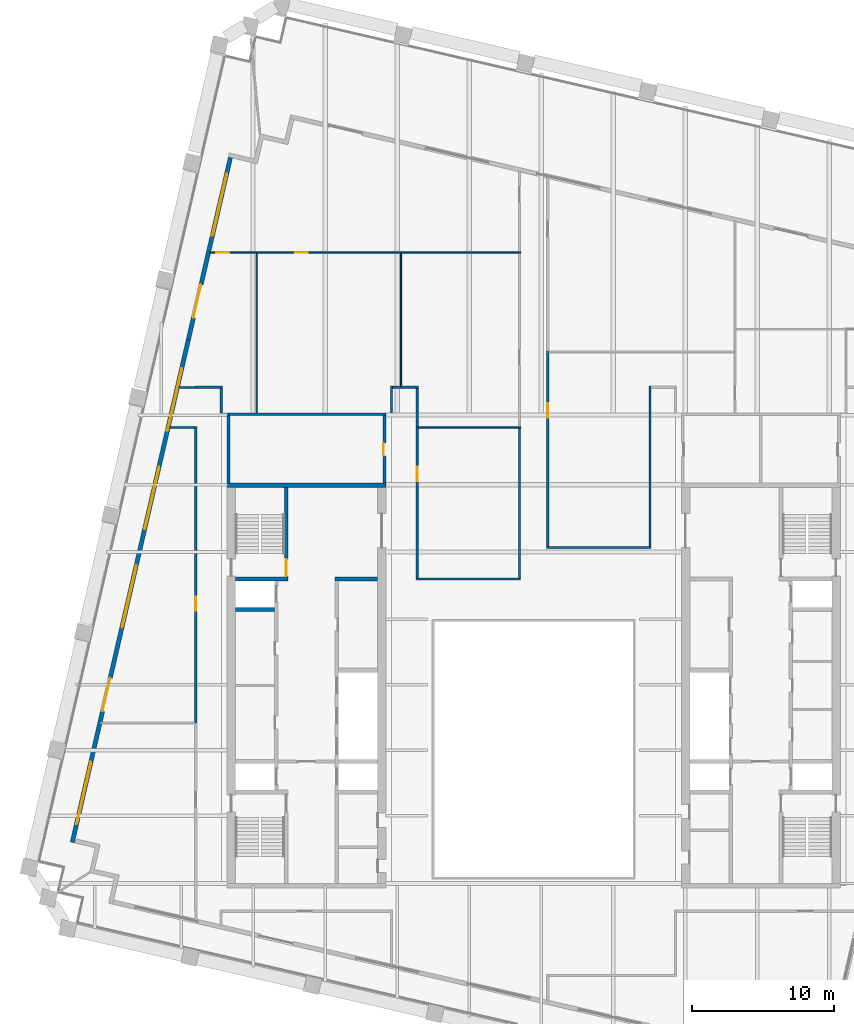
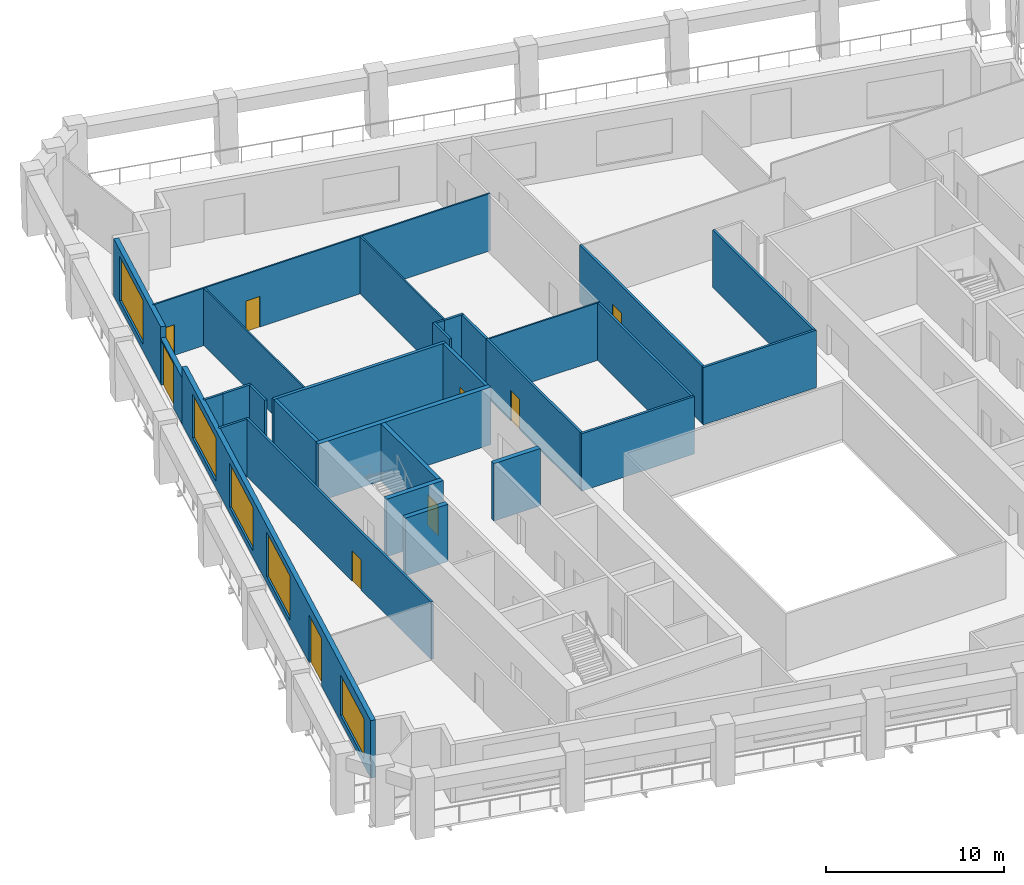
# One storey, part 6 of 10: 32 walls, 9 doors, 5 windows, 14 openings.
"""IFC4 building model written with IfcOpenShell, lengths in metres."""

from ifc_helpers import new_model, si_unit, direction, frame, frame_2d, origin, place, context, subcontext, project, spatial, rectangle, extrude, material, layer, layer_set, type_object, element, fill, save


model = new_model("IFC4")

# Units and contexts
model_context = context("Model", 3, precision=1e-05, world=origin(), true_north=direction((0.0, 1.0)))
body_context = subcontext(model_context, "Body", "Model", "MODEL_VIEW")
ifc_project = project(units=[si_unit("LENGTHUNIT", "METRE"), si_unit("AREAUNIT", "SQUARE_METRE"), si_unit("VOLUMEUNIT", "CUBIC_METRE"), si_unit("PLANEANGLEUNIT", "RADIAN"), si_unit("MASSUNIT", "GRAM", prefix="KILO")], contexts=[model_context])

# Site, building, storey
site_placement = place(None, origin())
site = spatial("IfcSite", under=ifc_project, at=site_placement, CompositionType="ELEMENT")
building_placement = place(site_placement, origin())
building = spatial("IfcBuilding", under=site, at=building_placement, Name="Ogive Exchange Tower", CompositionType="ELEMENT")
storey_placement = place(building_placement, frame((0.0, 0.0, 289.199951171875)))
storey = spatial("IfcBuildingStorey", under=building, at=storey_placement, Name="L63", CompositionType="ELEMENT", Elevation=289.199951171875)

# Walls
ifc_material_1 = material(Name="Gypsum board partition")
ifc_layer_1 = layer(ifc_material_1, 0.300048828125)
ifc_layer_set_1 = layer_set([ifc_layer_1], Name="Core room partition 300 gypsum")
wall_type_1 = type_object("IfcWallType", Name="Core room partition 300 gypsum", PredefinedType="PARTITIONING", material=ifc_layer_set_1)
wall_1_placement = place(storey_placement, frame((-14.0, 19.0, 0.0), z_axis=(0.0, 0.0, 1.0), x_axis=(1.0, 0.0, 0.0)))
element("IfcWall", 1, at=wall_1_placement, inside=storey, type_object=wall_type_1, Name="W row B room end wall 7", PredefinedType="PARTITIONING", context=body_context, shape_type="SweptSolid", body=[
    extrude(rectangle(XDim=3.0, YDim=0.300048828125, at=frame_2d((1.5, 0.0))), origin(), (0.0, 0.0, 1.0), 3.949951171875),
])
ifc_material_2 = material(Name="Fire partition EI 60 150")
ifc_layer_2 = layer(ifc_material_2, 0.14990234375)
ifc_layer_set_2 = layer_set([ifc_layer_2], Name="Fire partition EI 60 150")
wall_type_2 = type_object("IfcWallType", Name="Fire partition EI 60 150", PredefinedType="PARTITIONING", material=ifc_layer_set_2)
wall_2_placement = place(storey_placement, frame((-25.02490234375, 32.489990234375, 0.0), z_axis=(0.0, 0.0, 1.0), x_axis=(1.0, 0.0, 0.0)))
element("IfcWall", 2, at=wall_2_placement, inside=storey, type_object=wall_type_2, Name="L63-PWL-001", PredefinedType="PARTITIONING", context=body_context, shape_type="SweptSolid", body=[
    extrude(rectangle(XDim=1.224853515625, YDim=0.14990234375, at=frame_2d((0.6123046875, 0.0))), origin(), (0.0, 0.0, 1.0), 3.949951171875),
])

# Wall, opening, door
wall_3_placement = place(storey_placement, frame((-23.800048828125, 8.860107421875, 0.0), z_axis=(0.0, 0.0, 1.0), x_axis=(0.0, 1.0, 0.0)))
wall_3 = element("IfcWall", 3, at=wall_3_placement, inside=storey, type_object=wall_type_2, Name="L63-PWL-004", PredefinedType="PARTITIONING", context=body_context, shape_type="SweptSolid", body=[
    extrude(rectangle(XDim=20.875, YDim=0.14990234375, at=frame_2d((10.4375, 0.0))), origin(), (0.0, 0.0, 1.0), 3.949951171875),
])
opening_1_placement = place(wall_3_placement, frame((7.89990234375, 0.0, 0.0)))
opening_1 = element("IfcOpeningElement", 4, at=opening_1_placement, cuts=wall_3, Name="Opening L63-I14", PredefinedType="OPENING", context=body_context, shape_type="SweptSolid", body=[
    extrude(rectangle(XDim=1.0, YDim=2.10009765625, at=frame_2d((0.5, 1.050048828125))), frame((0.0, 0.0849609375, 0.0), z_axis=(0.0, -1.0, 0.0), x_axis=(1.0, 0.0, 0.0)), (0.0, 0.0, 1.0), 0.169921875),
])
ifc_material_3 = material(Name="Fire door FD 30S 1000 x 2100")
door_type_1 = type_object("IfcDoorType", Name="Fire door FD 30S 1000 x 2100", OperationType="NOTDEFINED", PredefinedType="DOOR", material=ifc_material_3)
door_1_placement = place(opening_1_placement, origin())
door_1 = element("IfcDoor", 5, at=door_1_placement, inside=storey, type_object=door_type_1, Name="L63-IDR-014", ObjectType="DT3", OperationType="SINGLE_SWING_RIGHT", OverallHeight=2.10009765625, OverallWidth=1.0, PredefinedType="DOOR", context=body_context, shape_type="SweptSolid", body=[
    extrude(rectangle(XDim=1.0, YDim=2.10009765625, at=frame_2d((0.5, 1.050048828125))), frame((0.0, 0.02490234375, 0.0), z_axis=(0.0, -1.0, 0.0), x_axis=(1.0, 0.0, 0.0)), (0.0, 0.0, 1.0), 0.050048828125),
])
fill(opening_1, door_1)

# Walls
wall_4_placement = place(storey_placement, frame((-23.875, 29.659912109375, 0.0), z_axis=(0.0, 0.0, 1.0), x_axis=(-1.0, 0.0, 0.0)))
element("IfcWall", 6, at=wall_4_placement, inside=storey, type_object=wall_type_2, Name="L63-PWL-005", PredefinedType="PARTITIONING", context=body_context, shape_type="SweptSolid", body=[
    extrude(rectangle(XDim=1.802978515625, YDim=0.14990234375, at=frame_2d((0.9013671875, 0.0))), origin(), (0.0, 0.0, 1.0), 3.949951171875),
])
wall_5_placement = place(storey_placement, frame((-23.800048828125, 32.5, 0.0), z_axis=(0.0, 0.0, 1.0), x_axis=(1.0, 0.0, 0.0)))
element("IfcWall", 7, at=wall_5_placement, inside=storey, type_object=wall_type_2, Name="L63-PWL-006", PredefinedType="PARTITIONING", context=body_context, shape_type="SweptSolid", body=[
    extrude(rectangle(XDim=1.875, YDim=0.14990234375, at=frame_2d((0.9375, 0.0))), origin(), (0.0, 0.0, 1.0), 3.949951171875),
])
wall_6_placement = place(storey_placement, frame((-22.0, 32.425048828125, 0.0), z_axis=(0.0, 0.0, 1.0), x_axis=(0.0, -1.0, 0.0)))
element("IfcWall", 8, at=wall_6_placement, inside=storey, type_object=wall_type_2, Name="L63-PWL-010", PredefinedType="PARTITIONING", context=body_context, shape_type="SweptSolid", body=[
    extrude(rectangle(XDim=1.72509765625, YDim=0.14990234375, at=frame_2d((0.862548828125, 0.0))), origin(), (0.0, 0.0, 1.0), 3.949951171875),
])
wall_7_placement = place(storey_placement, frame((-10.0, 30.699951171875, 0.0), z_axis=(0.0, 0.0, 1.0), x_axis=(0.0, 1.0, 0.0)))
element("IfcWall", 9, at=wall_7_placement, inside=storey, type_object=wall_type_2, Name="L63-PWL-015", PredefinedType="PARTITIONING", context=body_context, shape_type="SweptSolid", body=[
    extrude(rectangle(XDim=1.875, YDim=0.14990234375, at=frame_2d((0.9375, 0.0))), origin(), (0.0, 0.0, 1.0), 3.949951171875),
])
wall_8_placement = place(storey_placement, frame((-9.925048828125, 32.5, 0.0), z_axis=(0.0, 0.0, 1.0), x_axis=(1.0, 0.0, 0.0)))
element("IfcWall", 10, at=wall_8_placement, inside=storey, type_object=wall_type_2, Name="L63-PWL-016", PredefinedType="PARTITIONING", context=body_context, shape_type="SweptSolid", body=[
    extrude(rectangle(XDim=0.53515625, YDim=0.14990234375, at=frame_2d((0.267578125, 0.0))), origin(), (0.0, 0.0, 1.0), 3.949951171875),
])
wall_9_placement = place(storey_placement, frame((-9.389892578125, 32.5, 0.0), z_axis=(0.0, 0.0, 1.0), x_axis=(1.0, 0.0, 0.0)))
element("IfcWall", 11, at=wall_9_placement, inside=storey, type_object=wall_type_2, Name="L63-PWL-017", PredefinedType="PARTITIONING", context=body_context, shape_type="SweptSolid", body=[
    extrude(rectangle(XDim=1.264892578125, YDim=0.14990234375, at=frame_2d((0.63232421875, 0.0))), origin(), (0.0, 0.0, 1.0), 3.949951171875),
])
wall_10_placement = place(storey_placement, frame((-8.27490234375, 19.0, 0.0), z_axis=(0.0, 0.0, 1.0), x_axis=(1.0, 0.0, 0.0)))
element("IfcWall", 12, at=wall_10_placement, inside=storey, type_object=wall_type_2, Name="L63-PWL-020", PredefinedType="PARTITIONING", context=body_context, shape_type="SweptSolid", body=[
    extrude(rectangle(XDim=7.35986328125, YDim=0.14990234375, at=frame_2d((3.679931640625, 0.0))), origin(), (0.0, 0.0, 1.0), 3.949951171875),
])

# Wall, opening, door
wall_11_placement = place(storey_placement, frame((-8.199951171875, 29.7099609375, 0.0), z_axis=(0.0, 0.0, 1.0), x_axis=(0.0, -1.0, 0.0)))
wall_11 = element("IfcWall", 13, at=wall_11_placement, inside=storey, type_object=wall_type_2, Name="L63-PWL-021", PredefinedType="PARTITIONING", context=body_context, shape_type="SweptSolid", body=[
    extrude(rectangle(XDim=10.635009765625, YDim=0.14990234375, at=frame_2d((5.3173828125, 0.0))), origin(), (0.0, 0.0, 1.0), 3.949951171875),
])
opening_2_placement = place(wall_11_placement, frame((2.81005859375, 0.0, 0.0)))
opening_2 = element("IfcOpeningElement", 14, at=opening_2_placement, cuts=wall_11, Name="Opening L63-I09", PredefinedType="OPENING", context=body_context, shape_type="SweptSolid", body=[
    extrude(rectangle(XDim=1.0, YDim=2.10009765625, at=frame_2d((0.5, 1.050048828125))), frame((0.0, 0.0849609375, 0.0), z_axis=(0.0, -1.0, 0.0), x_axis=(1.0, 0.0, 0.0)), (0.0, 0.0, 1.0), 0.169921875),
])
door_2_placement = place(opening_2_placement, origin())
door_2 = element("IfcDoor", 15, at=door_2_placement, inside=storey, type_object=door_type_1, Name="L63-IDR-009", ObjectType="DT3", OperationType="SINGLE_SWING_RIGHT", OverallHeight=2.10009765625, OverallWidth=1.0, PredefinedType="DOOR", context=body_context, shape_type="SweptSolid", body=[
    extrude(rectangle(XDim=1.0, YDim=2.10009765625, at=frame_2d((0.5, 1.050048828125))), frame((0.0, 0.02490234375, 0.0), z_axis=(0.0, -1.0, 0.0), x_axis=(1.0, 0.0, 0.0)), (0.0, 0.0, 1.0), 0.050048828125),
])
fill(opening_2, door_2)

# Walls
wall_12_placement = place(storey_placement, frame((-8.199951171875, 32.425048828125, 0.0), z_axis=(0.0, 0.0, 1.0), x_axis=(0.0, -1.0, 0.0)))
element("IfcWall", 16, at=wall_12_placement, inside=storey, type_object=wall_type_2, Name="L63-PWL-023", PredefinedType="PARTITIONING", context=body_context, shape_type="SweptSolid", body=[
    extrude(rectangle(XDim=2.715087890625, YDim=0.14990234375, at=frame_2d((1.357421875, 0.0))), origin(), (0.0, 0.0, 1.0), 3.949951171875),
])
wall_13_placement = place(storey_placement, frame((-0.989990234375, 19.074951171875, 0.0), z_axis=(0.0, 0.0, 1.0), x_axis=(0.0, 1.0, 0.0)))
element("IfcWall", 17, at=wall_13_placement, inside=storey, type_object=wall_type_2, Name="L63-PWL-024", PredefinedType="PARTITIONING", context=body_context, shape_type="SweptSolid", body=[
    extrude(rectangle(XDim=10.53515625, YDim=0.14990234375, at=frame_2d((5.267578125, 0.0))), origin(), (0.0, 0.0, 1.0), 3.949951171875),
])
wall_14_placement = place(storey_placement, frame((0.9150390625, 21.2099609375, 0.0), z_axis=(0.0, 0.0, 1.0), x_axis=(1.0, 0.0, 0.0)))
element("IfcWall", 18, at=wall_14_placement, inside=storey, type_object=wall_type_2, Name="L63-PWL-028", PredefinedType="PARTITIONING", context=body_context, shape_type="SweptSolid", body=[
    extrude(rectangle(XDim=7.35986328125, YDim=0.14990234375, at=frame_2d((3.679931640625, 0.0))), origin(), (0.0, 0.0, 1.0), 3.949951171875),
])

# Wall, opening, door
wall_15_placement = place(storey_placement, frame((0.989990234375, 35.050048828125, 0.0), z_axis=(0.0, 0.0, 1.0), x_axis=(0.0, -1.0, 0.0)))
wall_15 = element("IfcWall", 19, at=wall_15_placement, inside=storey, type_object=wall_type_2, Name="L63-PWL-029", PredefinedType="PARTITIONING", context=body_context, shape_type="SweptSolid", body=[
    extrude(rectangle(XDim=13.76513671875, YDim=0.14990234375, at=frame_2d((6.882568359375, 0.0))), origin(), (0.0, 0.0, 1.0), 3.949951171875),
])
opening_3_placement = place(wall_15_placement, frame((3.68994140625, 0.0, 0.0)))
opening_3 = element("IfcOpeningElement", 20, at=opening_3_placement, cuts=wall_15, Name="Opening L63-I04", PredefinedType="OPENING", context=body_context, shape_type="SweptSolid", body=[
    extrude(rectangle(XDim=1.0, YDim=2.10009765625, at=frame_2d((0.5, 1.050048828125))), frame((0.0, 0.0849609375, 0.0), z_axis=(0.0, -1.0, 0.0), x_axis=(1.0, 0.0, 0.0)), (0.0, 0.0, 1.0), 0.169921875),
])
door_3_placement = place(opening_3_placement, origin())
door_3 = element("IfcDoor", 21, at=door_3_placement, inside=storey, type_object=door_type_1, Name="L63-IDR-004", ObjectType="DT3", OperationType="SINGLE_SWING_RIGHT", OverallHeight=2.10009765625, OverallWidth=1.0, PredefinedType="DOOR", context=body_context, shape_type="SweptSolid", body=[
    extrude(rectangle(XDim=1.0, YDim=2.10009765625, at=frame_2d((0.5, 1.050048828125))), frame((0.0, 0.02490234375, 0.0), z_axis=(0.0, -1.0, 0.0), x_axis=(1.0, 0.0, 0.0)), (0.0, 0.0, 1.0), 0.050048828125),
])
fill(opening_3, door_3)

# Wall
wall_16_placement = place(storey_placement, frame((8.199951171875, 21.284912109375, 0.0), z_axis=(0.0, 0.0, 1.0), x_axis=(0.0, 1.0, 0.0)))
element("IfcWall", 22, at=wall_16_placement, inside=storey, type_object=wall_type_2, Name="L63-PWL-031", PredefinedType="PARTITIONING", context=body_context, shape_type="SweptSolid", body=[
    extrude(rectangle(XDim=11.2900390625, YDim=0.14990234375, at=frame_2d((5.64501953125, 0.0))), origin(), (0.0, 0.0, 1.0), 3.949951171875),
])

# Wall, opening, window
ifc_material_4 = material(Name="Precast concrete C40/50", Category="concrete")
ifc_layer_3 = layer(ifc_material_4, 0.300048828125)
ifc_layer_set_3 = layer_set([ifc_layer_3], Name="Limestone-faced wall 300")
wall_type_3 = type_object("IfcWallType", Name="Limestone-faced wall 300", PredefinedType="STANDARD", material=ifc_layer_set_3)
wall_17_placement = place(storey_placement, frame((-21.35888671875, 48.67822265625, 0.0), z_axis=(0.0, 0.0, 1.0), x_axis=(-0.224942060428, -0.974372141151, 0.0)))
wall_17 = element("IfcWall", 23, at=wall_17_placement, inside=storey, type_object=wall_type_3, Name="External wall W4", PredefinedType="STANDARD", context=body_context, shape_type="SweptSolid", body=[
    extrude(rectangle(XDim=9.0712890625, YDim=0.300048828125, at=frame_2d((4.53564453125, 0.0))), origin(), (0.0, 0.0, 1.0), 3.949951171875),
])
opening_4_placement = place(wall_17_placement, frame((1.156982421875, 0.0, 0.449951171875)))
opening_4 = element("IfcOpeningElement", 24, at=opening_4_placement, cuts=wall_17, Name="Opening W1", PredefinedType="OPENING", context=body_context, shape_type="SweptSolid", body=[
    extrude(rectangle(XDim=4.5, YDim=3.050048828125, at=frame_2d((2.25, 1.52490234375))), frame((0.0, 0.159912109375, 0.0), z_axis=(0.0, -1.0, 0.0), x_axis=(1.0, 0.0, 0.0)), (0.0, 0.0, 1.0), 0.320068359375),
])
ifc_material_5 = material(Name="Clear glass in bronze frame", Category="glass")
window_type_1 = type_object("IfcWindowType", Name="Twin lancet window 4500 x 3050", PartitioningType="DOUBLE_PANEL_VERTICAL", PredefinedType="WINDOW", material=ifc_material_5)
window_1_placement = place(opening_4_placement, origin())
window_1 = element("IfcWindow", 25, at=window_1_placement, inside=storey, type_object=window_type_1, Name="Window W00", OverallHeight=3.050048828125, OverallWidth=4.5, PartitioningType="DOUBLE_PANEL_VERTICAL", PredefinedType="WINDOW", context=body_context, shape_type="SweptSolid", body=[
    extrude(rectangle(XDim=4.5, YDim=3.050048828125, at=frame_2d((2.25, 1.52490234375))), frame((0.0, 0.030029296875, 0.0), z_axis=(0.0, -1.0, 0.0), x_axis=(1.0, 0.0, 0.0)), (0.0, 0.0, 1.0), 0.06005859375),
])
fill(opening_4, window_1)

# Wall, opening, door
wall_18_placement = place(storey_placement, frame((-23.3994140625, 39.83935546875, 0.0), z_axis=(0.0, 0.0, 1.0), x_axis=(-0.224973000371, -0.974364997885, 0.0)))
wall_18 = element("IfcWall", 26, at=wall_18_placement, inside=storey, type_object=wall_type_3, Name="External wall W4", PredefinedType="STANDARD", context=body_context, shape_type="SweptSolid", body=[
    extrude(rectangle(XDim=4.084716796875, YDim=0.300048828125, at=frame_2d((2.04248046875, 0.0))), origin(), (0.0, 0.0, 1.0), 3.18798828125),
])
opening_5_placement = place(wall_18_placement, frame((0.10009765625, 0.0, 0.0)))
opening_5 = element("IfcOpeningElement", 27, at=opening_5_placement, cuts=wall_18, Name="Opening D1L", PredefinedType="OPENING", context=body_context, shape_type="SweptSolid", body=[
    extrude(rectangle(XDim=2.39990234375, YDim=3.050048828125, at=frame_2d((1.199951171875, 1.52490234375))), frame((0.0, 0.159912109375, 0.0), z_axis=(0.0, -1.0, 0.0), x_axis=(1.0, 0.0, 0.0)), (0.0, 0.0, 1.0), 0.320068359375),
])
door_type_2 = type_object("IfcDoorType", Name="Sliding loggia door 2400 x 3050", OperationType="DOUBLE_DOOR_SLIDING", PredefinedType="DOOR", material=ifc_material_5)
door_4_placement = place(opening_5_placement, origin())
door_4 = element("IfcDoor", 28, at=door_4_placement, inside=storey, type_object=door_type_2, Name="Loggia door W01", OperationType="DOUBLE_DOOR_SLIDING", OverallHeight=3.050048828125, OverallWidth=2.39990234375, PredefinedType="DOOR", context=body_context, shape_type="SweptSolid", body=[
    extrude(rectangle(XDim=2.39990234375, YDim=3.050048828125, at=frame_2d((1.199951171875, 1.52490234375))), frame((0.0, 0.02490234375, 0.0), z_axis=(0.0, -1.0, 0.0), x_axis=(1.0, 0.0, 0.0)), (0.0, 0.0, 1.0), 0.050048828125),
])
fill(opening_5, door_4)

# Wall, openings, door, windows
wall_19_placement = place(storey_placement, frame((-24.318359375, 35.859375, 0.0), z_axis=(0.0, 0.0, 1.0), x_axis=(-0.224948304833, -0.974370699556, 0.0)))
wall_19 = element("IfcWall", 29, at=wall_19_placement, inside=storey, type_object=wall_type_3, Name="External wall W4", PredefinedType="STANDARD", context=body_context, shape_type="SweptSolid", body=[
    extrude(rectangle(XDim=36.343994140625, YDim=0.300048828125, at=frame_2d((18.171875, 0.0))), origin(), (0.0, 0.0, 1.0), 3.949951171875),
])
opening_6_placement = place(wall_19_placement, frame((2.07958984375, 0.0, 0.449951171875)))
opening_6 = element("IfcOpeningElement", 30, at=opening_6_placement, cuts=wall_19, Name="Opening W1A", PredefinedType="OPENING", context=body_context, shape_type="SweptSolid", body=[
    extrude(rectangle(XDim=4.5, YDim=3.0, at=frame_2d((2.25, 1.5))), frame((0.0, 0.159912109375, 0.0), z_axis=(0.0, -1.0, 0.0), x_axis=(1.0, 0.0, 0.0)), (0.0, 0.0, 1.0), 0.320068359375),
])
opening_7_placement = place(wall_19_placement, frame((9.194091796875, 0.0, 0.449951171875)))
opening_7 = element("IfcOpeningElement", 31, at=opening_7_placement, cuts=wall_19, Name="Opening W1A", PredefinedType="OPENING", context=body_context, shape_type="SweptSolid", body=[
    extrude(rectangle(XDim=4.5, YDim=3.0, at=frame_2d((2.25, 1.5))), frame((0.0, 0.159912109375, 0.0), z_axis=(0.0, -1.0, 0.0), x_axis=(1.0, 0.0, 0.0)), (0.0, 0.0, 1.0), 0.320068359375),
])
opening_8_placement = place(wall_19_placement, frame((16.30810546875, 0.0, 0.449951171875)))
opening_8 = element("IfcOpeningElement", 32, at=opening_8_placement, cuts=wall_19, Name="Opening W1", PredefinedType="OPENING", context=body_context, shape_type="SweptSolid", body=[
    extrude(rectangle(XDim=4.5, YDim=3.050048828125, at=frame_2d((2.25, 1.52490234375))), frame((0.0, 0.159912109375, 0.0), z_axis=(0.0, -1.0, 0.0), x_axis=(1.0, 0.0, 0.0)), (0.0, 0.0, 1.0), 0.320068359375),
])
opening_9_placement = place(wall_19_placement, frame((24.472412109375, 0.0, 0.0)))
opening_9 = element("IfcOpeningElement", 33, at=opening_9_placement, cuts=wall_19, Name="Opening D1E", PredefinedType="OPENING", context=body_context, shape_type="SweptSolid", body=[
    extrude(rectangle(XDim=2.39990234375, YDim=3.27490234375, at=frame_2d((1.199951171875, 1.637451171875))), frame((0.0, 0.159912109375, 0.0), z_axis=(0.0, -1.0, 0.0), x_axis=(1.0, 0.0, 0.0)), (0.0, 0.0, 1.0), 0.320068359375),
])
opening_10_placement = place(wall_19_placement, frame((30.536865234375, 0.0, 0.449951171875)))
opening_10 = element("IfcOpeningElement", 34, at=opening_10_placement, cuts=wall_19, Name="Opening W1G", PredefinedType="OPENING", context=body_context, shape_type="SweptSolid", body=[
    extrude(rectangle(XDim=4.5, YDim=2.77490234375, at=frame_2d((2.25, 1.387451171875))), frame((0.0, 0.159912109375, 0.0), z_axis=(0.0, -1.0, 0.0), x_axis=(1.0, 0.0, 0.0)), (0.0, 0.0, 1.0), 0.320068359375),
])
door_type_3 = type_object("IfcDoorType", Name="Sliding loggia door 2400 x 3275", OperationType="DOUBLE_DOOR_SLIDING", PredefinedType="DOOR", material=ifc_material_5)
door_5_placement = place(opening_9_placement, origin())
door_5 = element("IfcDoor", 35, at=door_5_placement, inside=storey, type_object=door_type_3, Name="Loggia door W05", OperationType="DOUBLE_DOOR_SLIDING", OverallHeight=3.27490234375, OverallWidth=2.39990234375, PredefinedType="DOOR", context=body_context, shape_type="SweptSolid", body=[
    extrude(rectangle(XDim=2.39990234375, YDim=3.27490234375, at=frame_2d((1.199951171875, 1.637451171875))), frame((0.0, 0.02490234375, 0.0), z_axis=(0.0, -1.0, 0.0), x_axis=(1.0, 0.0, 0.0)), (0.0, 0.0, 1.0), 0.050048828125),
])
fill(opening_9, door_5)
window_type_2 = type_object("IfcWindowType", Name="Twin lancet window 4500 x 2775", PartitioningType="DOUBLE_PANEL_VERTICAL", PredefinedType="WINDOW", material=ifc_material_5)
window_2_placement = place(opening_10_placement, origin())
window_2 = element("IfcWindow", 36, at=window_2_placement, inside=storey, type_object=window_type_2, Name="Window W06", OverallHeight=2.77490234375, OverallWidth=4.5, PartitioningType="DOUBLE_PANEL_VERTICAL", PredefinedType="WINDOW", context=body_context, shape_type="SweptSolid", body=[
    extrude(rectangle(XDim=4.5, YDim=2.77490234375, at=frame_2d((2.25, 1.387451171875))), frame((0.0, 0.030029296875, 0.0), z_axis=(0.0, -1.0, 0.0), x_axis=(1.0, 0.0, 0.0)), (0.0, 0.0, 1.0), 0.06005859375),
])
fill(opening_10, window_2)
window_type_3 = type_object("IfcWindowType", Name="Twin lancet window 4500 x 3000", PartitioningType="DOUBLE_PANEL_VERTICAL", PredefinedType="WINDOW", material=ifc_material_5)
window_3_placement = place(opening_6_placement, origin())
window_3 = element("IfcWindow", 37, at=window_3_placement, inside=storey, type_object=window_type_3, Name="Window W02", OverallHeight=3.0, OverallWidth=4.5, PartitioningType="DOUBLE_PANEL_VERTICAL", PredefinedType="WINDOW", context=body_context, shape_type="SweptSolid", body=[
    extrude(rectangle(XDim=4.5, YDim=3.0, at=frame_2d((2.25, 1.5))), frame((0.0, 0.030029296875, 0.0), z_axis=(0.0, -1.0, 0.0), x_axis=(1.0, 0.0, 0.0)), (0.0, 0.0, 1.0), 0.06005859375),
])
fill(opening_6, window_3)
window_4_placement = place(opening_7_placement, origin())
window_4 = element("IfcWindow", 38, at=window_4_placement, inside=storey, type_object=window_type_3, Name="Window W03", OverallHeight=3.0, OverallWidth=4.5, PartitioningType="DOUBLE_PANEL_VERTICAL", PredefinedType="WINDOW", context=body_context, shape_type="SweptSolid", body=[
    extrude(rectangle(XDim=4.5, YDim=3.0, at=frame_2d((2.25, 1.5))), frame((0.0, 0.030029296875, 0.0), z_axis=(0.0, -1.0, 0.0), x_axis=(1.0, 0.0, 0.0)), (0.0, 0.0, 1.0), 0.06005859375),
])
fill(opening_7, window_4)
window_5_placement = place(opening_8_placement, origin())
window_5 = element("IfcWindow", 39, at=window_5_placement, inside=storey, type_object=window_type_1, Name="Window W04", OverallHeight=3.050048828125, OverallWidth=4.5, PartitioningType="DOUBLE_PANEL_VERTICAL", PredefinedType="WINDOW", context=body_context, shape_type="SweptSolid", body=[
    extrude(rectangle(XDim=4.5, YDim=3.050048828125, at=frame_2d((2.25, 1.52490234375))), frame((0.0, 0.030029296875, 0.0), z_axis=(0.0, -1.0, 0.0), x_axis=(1.0, 0.0, 0.0)), (0.0, 0.0, 1.0), 0.06005859375),
])
fill(opening_8, window_5)

# Wall, opening, door
ifc_material_6 = material(Name="Partition 100 gypsum")
ifc_layer_4 = layer(ifc_material_6, 0.10009765625)
ifc_layer_set_4 = layer_set([ifc_layer_4], Name="Partition 100 gypsum")
wall_type_4 = type_object("IfcWallType", Name="Partition 100 gypsum", PredefinedType="PARTITIONING", material=ifc_layer_set_4)
wall_20_placement = place(storey_placement, frame((-22.8291015625, 42.0, 0.0), z_axis=(0.0, 0.0, 1.0), x_axis=(1.0, 0.0, 0.0)))
wall_20 = element("IfcWall", 40, at=wall_20_placement, inside=storey, type_object=wall_type_4, Name="L63-PWL-008", PredefinedType="PARTITIONING", context=body_context, shape_type="SweptSolid", body=[
    extrude(rectangle(XDim=3.3291015625, YDim=0.10009765625, at=frame_2d((1.66455078125, 0.0))), origin(), (0.0, 0.0, 1.0), 3.949951171875),
])
opening_11_placement = place(wall_20_placement, frame((0.47900390625, 0.0, 0.0)))
opening_11 = element("IfcOpeningElement", 41, at=opening_11_placement, cuts=wall_20, Name="Opening L63-I10", PredefinedType="OPENING", context=body_context, shape_type="SweptSolid", body=[
    extrude(rectangle(XDim=0.89990234375, YDim=2.10009765625, at=frame_2d((0.449951171875, 1.050048828125))), frame((0.0, 0.06005859375, 0.0), z_axis=(0.0, -1.0, 0.0), x_axis=(1.0, 0.0, 0.0)), (0.0, 0.0, 1.0), 0.1201171875),
])
ifc_material_7 = material(Name="Door 900 x 2100")
door_type_4 = type_object("IfcDoorType", Name="Door 900 x 2100", OperationType="NOTDEFINED", PredefinedType="DOOR", material=ifc_material_7)
door_6_placement = place(opening_11_placement, frame((0.89990234375, 0.0, 0.0), z_axis=(0.0, 0.0, 1.0), x_axis=(-1.0, 0.0, 0.0)))
door_6 = element("IfcDoor", 42, at=door_6_placement, inside=storey, type_object=door_type_4, Name="L63-IDR-010", ObjectType="DT1", OperationType="SINGLE_SWING_LEFT", OverallHeight=2.10009765625, OverallWidth=0.89990234375, PredefinedType="DOOR", context=body_context, shape_type="SweptSolid", body=[
    extrude(rectangle(XDim=0.89990234375, YDim=2.10009765625, at=frame_2d((0.449951171875, 1.050048828125))), frame((0.0, 0.02490234375, 0.0), z_axis=(0.0, -1.0, 0.0), x_axis=(1.0, 0.0, 0.0)), (0.0, 0.0, 1.0), 0.050048828125),
])
fill(opening_11, door_6)

# Wall
wall_21_placement = place(storey_placement, frame((-19.5, 41.949951171875, 0.0), z_axis=(0.0, 0.0, 1.0), x_axis=(0.0, -1.0, 0.0)))
element("IfcWall", 43, at=wall_21_placement, inside=storey, type_object=wall_type_4, Name="L63-PWL-011", PredefinedType="PARTITIONING", context=body_context, shape_type="SweptSolid", body=[
    extrude(rectangle(XDim=11.25, YDim=0.10009765625, at=frame_2d((5.625, 0.0))), origin(), (0.0, 0.0, 1.0), 3.949951171875),
])

# Wall, opening, door
wall_22_placement = place(storey_placement, frame((-19.5, 42.0, 0.0), z_axis=(0.0, 0.0, 1.0), x_axis=(1.0, 0.0, 0.0)))
wall_22 = element("IfcWall", 44, at=wall_22_placement, inside=storey, type_object=wall_type_4, Name="L63-PWL-012", PredefinedType="PARTITIONING", context=body_context, shape_type="SweptSolid", body=[
    extrude(rectangle(XDim=10.2099609375, YDim=0.10009765625, at=frame_2d((5.10498046875, 0.0))), origin(), (0.0, 0.0, 1.0), 3.949951171875),
])
opening_12_placement = place(wall_22_placement, frame((2.699951171875, 0.0, 0.0)))
opening_12 = element("IfcOpeningElement", 45, at=opening_12_placement, cuts=wall_22, Name="Opening L63-I11", PredefinedType="OPENING", context=body_context, shape_type="SweptSolid", body=[
    extrude(rectangle(XDim=0.89990234375, YDim=2.10009765625, at=frame_2d((0.449951171875, 1.050048828125))), frame((0.0, 0.06005859375, 0.0), z_axis=(0.0, -1.0, 0.0), x_axis=(1.0, 0.0, 0.0)), (0.0, 0.0, 1.0), 0.1201171875),
])
door_7_placement = place(opening_12_placement, frame((0.89990234375, 0.0, 0.0), z_axis=(0.0, 0.0, 1.0), x_axis=(-1.0, 0.0, 0.0)))
door_7 = element("IfcDoor", 46, at=door_7_placement, inside=storey, type_object=door_type_4, Name="L63-IDR-011", ObjectType="DT1", OperationType="SINGLE_SWING_LEFT", OverallHeight=2.10009765625, OverallWidth=0.89990234375, PredefinedType="DOOR", context=body_context, shape_type="SweptSolid", body=[
    extrude(rectangle(XDim=0.89990234375, YDim=2.10009765625, at=frame_2d((0.449951171875, 1.050048828125))), frame((0.0, 0.02490234375, 0.0), z_axis=(0.0, -1.0, 0.0), x_axis=(1.0, 0.0, 0.0)), (0.0, 0.0, 1.0), 0.050048828125),
])
fill(opening_12, door_7)

# Walls
wall_23_placement = place(storey_placement, frame((-9.340087890625, 41.949951171875, 0.0), z_axis=(0.0, 0.0, 1.0), x_axis=(0.0, -1.0, 0.0)))
element("IfcWall", 47, at=wall_23_placement, inside=storey, type_object=wall_type_4, Name="L63-PWL-018", PredefinedType="PARTITIONING", context=body_context, shape_type="SweptSolid", body=[
    extrude(rectangle(XDim=9.375, YDim=0.10009765625, at=frame_2d((4.6875, 0.0))), origin(), (0.0, 0.0, 1.0), 3.949951171875),
])
wall_24_placement = place(storey_placement, frame((-9.2900390625, 42.0, 0.0), z_axis=(0.0, 0.0, 1.0), x_axis=(1.0, 0.0, 0.0)))
element("IfcWall", 48, at=wall_24_placement, inside=storey, type_object=wall_type_4, Name="L63-PWL-019", PredefinedType="PARTITIONING", context=body_context, shape_type="SweptSolid", body=[
    extrude(rectangle(XDim=8.375, YDim=0.10009765625, at=frame_2d((4.1875, 0.0))), origin(), (0.0, 0.0, 1.0), 3.949951171875),
])
wall_25_placement = place(storey_placement, frame((-8.125, 29.659912109375, 0.0), z_axis=(0.0, 0.0, 1.0), x_axis=(1.0, 0.0, 0.0)))
element("IfcWall", 49, at=wall_25_placement, inside=storey, type_object=wall_type_4, Name="L63-PWL-022", PredefinedType="PARTITIONING", context=body_context, shape_type="SweptSolid", body=[
    extrude(rectangle(XDim=7.2099609375, YDim=0.10009765625, at=frame_2d((3.60498046875, 0.0))), origin(), (0.0, 0.0, 1.0), 3.949951171875),
])
ifc_material_8 = material(Name="Concrete C70/85", Category="concrete")
ifc_layer_5 = layer(ifc_material_8, 0.199951171875)
ifc_layer_set_5 = layer_set([ifc_layer_5], Name="RC core wall 200 C70/85")
wall_type_5 = type_object("IfcWallType", Name="RC core wall 200 C70/85", PredefinedType="SHEAR", material=ifc_layer_set_5)
wall_26_placement = place(storey_placement, frame((-21.5, 25.75, 0.0), z_axis=(0.0, 0.0, 1.0), x_axis=(0.0, 1.0, 0.0)))
element("IfcWall", 50, at=wall_26_placement, inside=storey, type_object=wall_type_5, Name="W annex N outer wall", PredefinedType="SHEAR", context=body_context, shape_type="SweptSolid", body=[
    extrude(rectangle(XDim=4.75, YDim=0.199951171875, at=frame_2d((2.375, 0.0))), origin(), (0.0, 0.0, 1.0), 3.949951171875),
])

# Wall, opening, door
wall_27_placement = place(storey_placement, frame((-10.5, 25.75, 0.0), z_axis=(0.0, 0.0, 1.0), x_axis=(0.0, 1.0, 0.0)))
wall_27 = element("IfcWall", 51, at=wall_27_placement, inside=storey, type_object=wall_type_5, Name="W annex N inner wall", PredefinedType="SHEAR", context=body_context, shape_type="SweptSolid", body=[
    extrude(rectangle(XDim=4.75, YDim=0.199951171875, at=frame_2d((2.375, 0.0))), origin(), (0.0, 0.0, 1.0), 3.949951171875),
])
opening_13_placement = place(wall_27_placement, frame((1.925048828125, 0.0, 0.0)))
opening_13 = element("IfcOpeningElement", 52, at=opening_13_placement, cuts=wall_27, Name="Opening L63-C18", PredefinedType="OPENING", context=body_context, shape_type="SweptSolid", body=[
    extrude(rectangle(XDim=0.89990234375, YDim=2.10009765625, at=frame_2d((0.449951171875, 1.050048828125))), frame((0.0, 0.10986328125, 0.0), z_axis=(0.0, -1.0, 0.0), x_axis=(1.0, 0.0, 0.0)), (0.0, 0.0, 1.0), 0.219970703125),
])
ifc_material_9 = material(Name="Timber fire door", Category="wood")
door_type_5 = type_object("IfcDoorType", Name="Core room door FD30S 900 x 2100", OperationType="NOTDEFINED", PredefinedType="DOOR", material=ifc_material_9)
door_8_placement = place(opening_13_placement, frame((0.89990234375, 0.14990234375, 0.0), z_axis=(0.0, 0.0, 1.0), x_axis=(-1.0, 0.0, 0.0)))
door_8 = element("IfcDoor", 53, at=door_8_placement, inside=storey, type_object=door_type_5, Name="Core room door", ObjectType="CD6", OperationType="SINGLE_SWING_RIGHT", OverallHeight=2.10009765625, OverallWidth=0.89990234375, PredefinedType="DOOR", context=body_context, shape_type="SweptSolid", body=[
    extrude(rectangle(XDim=0.89990234375, YDim=2.10009765625, at=frame_2d((0.449951171875, 1.050048828125))), frame((0.0, 0.10009765625, 0.0), z_axis=(0.0, -1.0, 0.0), x_axis=(1.0, 0.0, 0.0)), (0.0, 0.0, 1.0), 0.050048828125),
])
fill(opening_13, door_8)

# Wall
wall_28_placement = place(storey_placement, frame((-21.60009765625, 30.60009765625, 0.0), z_axis=(0.0, 0.0, 1.0), x_axis=(1.0, 0.0, 0.0)))
element("IfcWall", 54, at=wall_28_placement, inside=storey, type_object=wall_type_5, Name="W annex N end wall", PredefinedType="SHEAR", context=body_context, shape_type="SweptSolid", body=[
    extrude(rectangle(XDim=11.2001953125, YDim=0.199951171875, at=frame_2d((5.60009765625, 0.0))), origin(), (0.0, 0.0, 1.0), 3.949951171875),
])

# Wall, opening, door
ifc_layer_6 = layer(ifc_material_8, 0.25)
ifc_layer_set_6 = layer_set([ifc_layer_6], Name="RC core wall 250 C70/85")
wall_type_6 = type_object("IfcWallType", Name="RC core wall 250 C70/85", PredefinedType="SHEAR", material=ifc_layer_set_6)
wall_29_placement = place(storey_placement, frame((-17.425048828125, 19.14990234375, 0.0), z_axis=(0.0, 0.0, 1.0), x_axis=(0.0, 1.0, 0.0)))
wall_29 = element("IfcWall", 55, at=wall_29_placement, inside=storey, type_object=wall_type_6, Name="W stair N front wall", PredefinedType="SHEAR", context=body_context, shape_type="SweptSolid", body=[
    extrude(rectangle(XDim=6.300048828125, YDim=0.25, at=frame_2d((3.14990234375, 0.0))), origin(), (0.0, 0.0, 1.0), 3.949951171875),
])
opening_14_placement = place(wall_29_placement, frame((0.050048828125, 0.0, 0.0)))
opening_14 = element("IfcOpeningElement", 56, at=opening_14_placement, cuts=wall_29, Name="Opening L63-C14", PredefinedType="OPENING", context=body_context, shape_type="SweptSolid", body=[
    extrude(rectangle(XDim=1.199951171875, YDim=2.10009765625, at=frame_2d((0.60009765625, 1.050048828125))), frame((0.0, 0.135009765625, 0.0), z_axis=(0.0, -1.0, 0.0), x_axis=(1.0, 0.0, 0.0)), (0.0, 0.0, 1.0), 0.27001953125),
])
ifc_material_10 = material(Name="Steel fire door", Category="steel")
door_type_6 = type_object("IfcDoorType", Name="Stair door FD90 1200 x 2100", OperationType="NOTDEFINED", PredefinedType="DOOR", material=ifc_material_10)
door_9_placement = place(opening_14_placement, origin())
door_9 = element("IfcDoor", 57, at=door_9_placement, inside=storey, type_object=door_type_6, Name="Stair door", ObjectType="CD5", OperationType="SINGLE_SWING_RIGHT", OverallHeight=2.10009765625, OverallWidth=1.199951171875, PredefinedType="DOOR", context=body_context, shape_type="SweptSolid", body=[
    extrude(rectangle(XDim=1.199951171875, YDim=2.10009765625, at=frame_2d((0.60009765625, 1.050048828125))), frame((0.0, 0.02490234375, 0.0), z_axis=(0.0, -1.0, 0.0), x_axis=(1.0, 0.0, 0.0)), (0.0, 0.0, 1.0), 0.050048828125),
])
fill(opening_14, door_9)

# Walls
ifc_layer_7 = layer(ifc_material_8, 0.300048828125)
ifc_layer_set_7 = layer_set([ifc_layer_7], Name="RC core wall 300 C70/85")
wall_type_7 = type_object("IfcWallType", Name="RC core wall 300 C70/85", PredefinedType="SHEAR", material=ifc_layer_set_7)
wall_30_placement = place(storey_placement, frame((-21.60009765625, 25.60009765625, 0.0), z_axis=(0.0, 0.0, 1.0), x_axis=(1.0, 0.0, 0.0)))
element("IfcWall", 58, at=wall_30_placement, inside=storey, type_object=wall_type_7, Name="W north end wall", PredefinedType="SHEAR", context=body_context, shape_type="SweptSolid", body=[
    extrude(rectangle(XDim=11.2001953125, YDim=0.300048828125, at=frame_2d((5.60009765625, 0.0))), origin(), (0.0, 0.0, 1.0), 3.949951171875),
])
wall_31_placement = place(storey_placement, frame((-21.0, 19.0, 0.0), z_axis=(0.0, 0.0, 1.0), x_axis=(1.0, 0.0, 0.0)))
element("IfcWall", 59, at=wall_31_placement, inside=storey, type_object=wall_type_7, Name="W stair N south wall", PredefinedType="SHEAR", context=body_context, shape_type="SweptSolid", body=[
    extrude(rectangle(XDim=3.699951171875, YDim=0.300048828125, at=frame_2d((1.85009765625, 0.0))), origin(), (0.0, 0.0, 1.0), 3.949951171875),
])
wall_32_placement = place(storey_placement, frame((-21.0, 16.857177734375, 0.0), z_axis=(0.0, 0.0, 1.0), x_axis=(1.0, 0.0, 0.0)))
element("IfcWall", 60, at=wall_32_placement, inside=storey, type_object=wall_type_7, Name="W row A divider 6", PredefinedType="SHEAR", context=body_context, shape_type="SweptSolid", body=[
    extrude(rectangle(XDim=2.75, YDim=0.300048828125, at=frame_2d((1.375, 0.0))), origin(), (0.0, 0.0, 1.0), 3.949951171875),
])

save(model, "model.ifc")
